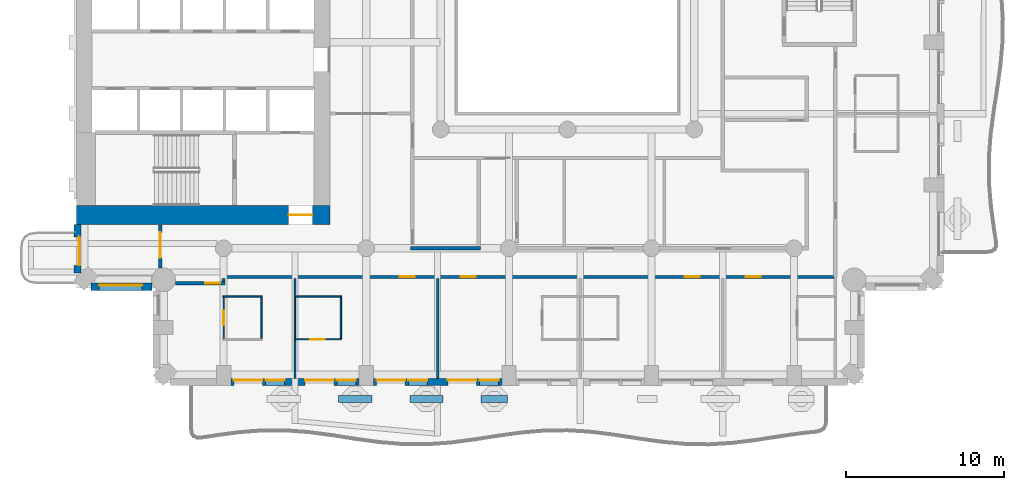
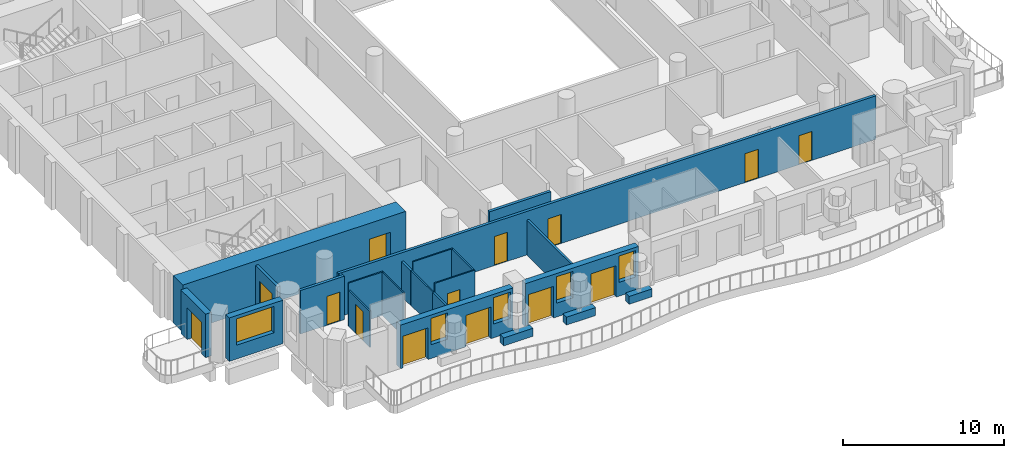
# One storey, part 3 of 20: 23 walls, 14 doors, 5 windows, 19 openings.
"""IFC4 building model written with IfcOpenShell, lengths in metres."""

from ifc_helpers import new_model, si_unit, direction, frame, frame_2d, origin, place, context, subcontext, project, spatial, rectangle, extrude, material, layer, layer_set, type_object, element, fill, save


model = new_model("IFC4")

# Units and contexts
model_context = context("Model", 3, precision=1e-05, world=origin(), true_north=direction((0.0, 1.0)))
body_context = subcontext(model_context, "Body", "Model", "MODEL_VIEW")
ifc_project = project(units=[si_unit("LENGTHUNIT", "METRE"), si_unit("AREAUNIT", "SQUARE_METRE"), si_unit("VOLUMEUNIT", "CUBIC_METRE"), si_unit("PLANEANGLEUNIT", "RADIAN"), si_unit("MASSUNIT", "GRAM", prefix="KILO")], contexts=[model_context])

# Site, building, storey
site_placement = place(None, origin())
site = spatial("IfcSite", under=ifc_project, at=site_placement, CompositionType="ELEMENT")
building_placement = place(site_placement, origin())
building = spatial("IfcBuilding", under=site, at=building_placement, Name="Cypress Arch Tower", CompositionType="ELEMENT")
storey_placement = place(building_placement, frame((0.0, 0.0, 123.89990234375)))
storey = spatial("IfcBuildingStorey", under=building, at=storey_placement, Name="L26", CompositionType="ELEMENT", Elevation=123.89990234375)

# Walls
ifc_material_1 = material(Name="Concrete C40/50, waterproofed", Category="concrete")
ifc_layer_1 = layer(ifc_material_1, 0.449951171875)
ifc_layer_set_1 = layer_set([ifc_layer_1], Name="Balcony planter wall PW450")
wall_type_1 = type_object("IfcWallType", Name="Balcony planter wall PW450", PredefinedType="SOLIDWALL", material=ifc_layer_set_1)
for number, where, z_axis, x_axis, name in (
    (1, (-13.449951171875, -27.0, 0.0), (0.0, 0.0, 1.0), (1.0, 0.0, 0.0), "Balcony planter wall L26-A03.2"),
    (2, (-8.949951171875, -27.0, 0.0), (0.0, 0.0, 1.0), (1.0, 0.0, 0.0), "Balcony planter wall L26-A03.3"),
):
    element("IfcWall", number, at=place(storey_placement, frame(where, z_axis=z_axis, x_axis=x_axis)), inside=storey, type_object=wall_type_1, Name=name, PredefinedType="SOLIDWALL", context=body_context, shape_type="SweptSolid", body=[
        extrude(rectangle(XDim=2.099853515625, YDim=0.449951171875, at=frame_2d((1.0498046875, 0.0))), origin(), (0.0, 0.0, 1.0), 0.60009765625),
    ])
wall_1_placement = place(storey_placement, frame((-4.449951171875, -27.0, 0.0), z_axis=(0.0, 0.0, 1.0), x_axis=(1.0, 0.0, 0.0)))
element("IfcWall", 3, at=wall_1_placement, inside=storey, type_object=wall_type_1, Name="Balcony planter wall L26-A03.4", PredefinedType="SOLIDWALL", context=body_context, shape_type="SweptSolid", body=[
    extrude(rectangle(XDim=1.64990234375, YDim=0.449951171875, at=frame_2d((0.824951171875, 0.0))), origin(), (0.0, 0.0, 1.0), 0.60009765625),
])

# Wall, opening, door
ifc_material_2 = material(Name="Brick (red buff blend)", Category="masonry")
ifc_layer_2 = layer(ifc_material_2, 0.449951171875)
ifc_layer_set_2 = layer_set([ifc_layer_2], Name="Brick pier and spandrel wall BW450")
wall_type_2 = type_object("IfcWallType", Name="Brick pier and spandrel wall BW450", PredefinedType="SOLIDWALL", material=ifc_layer_set_2)
wall_2_placement = place(storey_placement, frame((-29.925048828125, -16.0, 0.0), z_axis=(0.0, 0.0, 1.0), x_axis=(0.0, -1.0, 0.0)))
wall_2 = element("IfcWall", 4, at=wall_2_placement, inside=storey, type_object=wall_type_2, Name="Brick wall L26 A00.0.1", PredefinedType="SOLIDWALL", context=body_context, shape_type="SweptSolid", body=[
    extrude(rectangle(XDim=3.063720703125, YDim=0.449951171875, at=frame_2d((1.53173828125, 0.0))), origin(), (0.0, 0.0, 1.0), 3.300048828125),
])
opening_1_placement = place(wall_2_placement, frame((0.78173828125, 0.0, 0.0)))
opening_1 = element("IfcOpeningElement", 5, at=opening_1_placement, cuts=wall_2, Name="Opening D-L26-A00.0.1.9", PredefinedType="OPENING", context=body_context, shape_type="SweptSolid", body=[
    extrude(rectangle(XDim=1.800048828125, YDim=2.39990234375, at=frame_2d((0.89990234375, 1.199951171875))), frame((0.0, 0.23486328125, 0.0), z_axis=(0.0, -1.0, 0.0), x_axis=(1.0, 0.0, 0.0)), (0.0, 0.0, 1.0), 0.469970703125),
])
ifc_material_3 = material(Name="Anodised aluminium, bronze finish, laminated low-emissivity double glazing, large-missile impact rated", Category="aluminium")
door_type_1 = type_object("IfcDoorType", Name="Balcony sliding door 1800x2400", OperationType="SLIDING_TO_LEFT", PredefinedType="DOOR", material=ifc_material_3)
door_1_placement = place(opening_1_placement, origin())
door_1 = element("IfcDoor", 6, at=door_1_placement, inside=storey, type_object=door_type_1, Name="Balcony door L26 A00.0.1.9", OperationType="SLIDING_TO_LEFT", OverallHeight=2.39990234375, OverallWidth=1.800048828125, PredefinedType="DOOR", context=body_context, shape_type="SweptSolid", body=[
    extrude(rectangle(XDim=1.800048828125, YDim=2.39990234375, at=frame_2d((0.89990234375, 1.199951171875))), frame((0.0, 0.1298828125, 0.0), z_axis=(0.0, -1.0, 0.0), x_axis=(1.0, 0.0, 0.0)), (0.0, 0.0, 1.0), 0.050048828125),
])
fill(opening_1, door_1)

# Wall, opening, window
wall_3_placement = place(storey_placement, frame((-29.063720703125, -19.925048828125, 0.0), z_axis=(0.0, 0.0, 1.0), x_axis=(1.0, 0.0, 0.0)))
wall_3 = element("IfcWall", 7, at=wall_3_placement, inside=storey, type_object=wall_type_2, Name="Brick wall L26 A01.0", PredefinedType="SOLIDWALL", context=body_context, shape_type="SweptSolid", body=[
    extrude(rectangle(XDim=3.856689453125, YDim=0.449951171875, at=frame_2d((1.92822265625, 0.0))), origin(), (0.0, 0.0, 1.0), 3.300048828125),
])
opening_2_placement = place(wall_3_placement, frame((0.513671875, 0.0, 1.050048828125)))
opening_2 = element("IfcOpeningElement", 8, at=opening_2_placement, cuts=wall_3, Name="Opening W270H", PredefinedType="OPENING", context=body_context, shape_type="SweptSolid", body=[
    extrude(rectangle(XDim=2.699951171875, YDim=2.0, at=frame_2d((1.35009765625, 1.0))), frame((0.0, 0.23486328125, 0.0), z_axis=(0.0, -1.0, 0.0), x_axis=(1.0, 0.0, 0.0)), (0.0, 0.0, 1.0), 0.469970703125),
])
ifc_material_4 = material(Name="Anodised aluminium, bronze finish, clear low-emissivity double glazing", Category="aluminium")
window_type_1 = type_object("IfcWindowType", Name="Window Hotel 2700x2000", PartitioningType="SINGLE_PANEL", PredefinedType="WINDOW", material=ifc_material_4)
window_1_placement = place(opening_2_placement, origin())
window_1 = element("IfcWindow", 9, at=window_1_placement, inside=storey, type_object=window_type_1, Name="Window L26 A01.0.1", OverallHeight=2.0, OverallWidth=2.699951171875, PartitioningType="SINGLE_PANEL", PredefinedType="WINDOW", context=body_context, shape_type="SweptSolid", body=[
    extrude(rectangle(XDim=2.699951171875, YDim=2.0, at=frame_2d((1.35009765625, 1.0))), frame((0.0, 0.135009765625, 0.0), z_axis=(0.0, -1.0, 0.0), x_axis=(1.0, 0.0, 0.0)), (0.0, 0.0, 1.0), 0.06005859375),
])
fill(opening_2, window_1)

# Wall, openings, doors, windows
wall_4_placement = place(storey_placement, frame((-20.25, -25.925048828125, 0.0), z_axis=(0.0, 0.0, 1.0), x_axis=(1.0, 0.0, 0.0)))
wall_4 = element("IfcWall", 10, at=wall_4_placement, inside=storey, type_object=wall_type_2, Name="Brick wall L26 A03.1", PredefinedType="SOLIDWALL", context=body_context, shape_type="SweptSolid", body=[
    extrude(rectangle(XDim=8.10009765625, YDim=0.449951171875, at=frame_2d((4.050048828125, 0.0))), origin(), (0.0, 0.0, 1.0), 3.300048828125),
])
opening_3_placement = place(wall_4_placement, frame((0.199951171875, 0.0, 0.0)))
opening_3 = element("IfcOpeningElement", 11, at=opening_3_placement, cuts=wall_4, Name="Opening D-L26-A03.1.1", PredefinedType="OPENING", context=body_context, shape_type="SweptSolid", body=[
    extrude(rectangle(XDim=1.800048828125, YDim=2.39990234375, at=frame_2d((0.89990234375, 1.199951171875))), frame((0.0, 0.23486328125, 0.0), z_axis=(0.0, -1.0, 0.0), x_axis=(1.0, 0.0, 0.0)), (0.0, 0.0, 1.0), 0.469970703125),
])
opening_4_placement = place(wall_4_placement, frame((2.199951171875, 0.0, 1.050048828125)))
opening_4 = element("IfcOpeningElement", 12, at=opening_4_placement, cuts=wall_4, Name="Opening W120HD", PredefinedType="OPENING", context=body_context, shape_type="SweptSolid", body=[
    extrude(rectangle(XDim=1.199951171875, YDim=2.0, at=frame_2d((0.60009765625, 1.0))), frame((0.0, 0.23486328125, 0.0), z_axis=(0.0, -1.0, 0.0), x_axis=(1.0, 0.0, 0.0)), (0.0, 0.0, 1.0), 0.469970703125),
])
opening_5_placement = place(wall_4_placement, frame((4.699951171875, 0.0, 0.0)))
opening_5 = element("IfcOpeningElement", 13, at=opening_5_placement, cuts=wall_4, Name="Opening D-L26-A03.1.2", PredefinedType="OPENING", context=body_context, shape_type="SweptSolid", body=[
    extrude(rectangle(XDim=1.800048828125, YDim=2.39990234375, at=frame_2d((0.89990234375, 1.199951171875))), frame((0.0, 0.23486328125, 0.0), z_axis=(0.0, -1.0, 0.0), x_axis=(1.0, 0.0, 0.0)), (0.0, 0.0, 1.0), 0.469970703125),
])
opening_6_placement = place(wall_4_placement, frame((6.699951171875, 0.0, 1.050048828125)))
opening_6 = element("IfcOpeningElement", 14, at=opening_6_placement, cuts=wall_4, Name="Opening W120HD", PredefinedType="OPENING", context=body_context, shape_type="SweptSolid", body=[
    extrude(rectangle(XDim=1.199951171875, YDim=2.0, at=frame_2d((0.60009765625, 1.0))), frame((0.0, 0.23486328125, 0.0), z_axis=(0.0, -1.0, 0.0), x_axis=(1.0, 0.0, 0.0)), (0.0, 0.0, 1.0), 0.469970703125),
])
door_2_placement = place(opening_3_placement, origin())
door_2 = element("IfcDoor", 15, at=door_2_placement, inside=storey, type_object=door_type_1, Name="Balcony door L26 A03.1.1", OperationType="SLIDING_TO_LEFT", OverallHeight=2.39990234375, OverallWidth=1.800048828125, PredefinedType="DOOR", context=body_context, shape_type="SweptSolid", body=[
    extrude(rectangle(XDim=1.800048828125, YDim=2.39990234375, at=frame_2d((0.89990234375, 1.199951171875))), frame((0.0, 0.1298828125, 0.0), z_axis=(0.0, -1.0, 0.0), x_axis=(1.0, 0.0, 0.0)), (0.0, 0.0, 1.0), 0.050048828125),
])
fill(opening_3, door_2)
door_3_placement = place(opening_5_placement, origin())
door_3 = element("IfcDoor", 16, at=door_3_placement, inside=storey, type_object=door_type_1, Name="Balcony door L26 A03.1.2", OperationType="SLIDING_TO_LEFT", OverallHeight=2.39990234375, OverallWidth=1.800048828125, PredefinedType="DOOR", context=body_context, shape_type="SweptSolid", body=[
    extrude(rectangle(XDim=1.800048828125, YDim=2.39990234375, at=frame_2d((0.89990234375, 1.199951171875))), frame((0.0, 0.1298828125, 0.0), z_axis=(0.0, -1.0, 0.0), x_axis=(1.0, 0.0, 0.0)), (0.0, 0.0, 1.0), 0.050048828125),
])
fill(opening_5, door_3)
ifc_material_5 = material(Name="Anodised aluminium, bronze finish, laminated low-emissivity double glazing, large-missile impact rated", Category="aluminium")
window_type_2 = type_object("IfcWindowType", Name="Window Hotel 1200x2000 debris-rated", PartitioningType="SINGLE_PANEL", PredefinedType="WINDOW", material=ifc_material_5)
window_2_placement = place(opening_4_placement, origin())
window_2 = element("IfcWindow", 17, at=window_2_placement, inside=storey, type_object=window_type_2, Name="Window L26 A03.1.1", OverallHeight=2.0, OverallWidth=1.199951171875, PartitioningType="SINGLE_PANEL", PredefinedType="WINDOW", context=body_context, shape_type="SweptSolid", body=[
    extrude(rectangle(XDim=1.199951171875, YDim=2.0, at=frame_2d((0.60009765625, 1.0))), frame((0.0, 0.135009765625, 0.0), z_axis=(0.0, -1.0, 0.0), x_axis=(1.0, 0.0, 0.0)), (0.0, 0.0, 1.0), 0.06005859375),
])
fill(opening_4, window_2)
window_3_placement = place(opening_6_placement, origin())
window_3 = element("IfcWindow", 18, at=window_3_placement, inside=storey, type_object=window_type_2, Name="Window L26 A03.1.2", OverallHeight=2.0, OverallWidth=1.199951171875, PartitioningType="SINGLE_PANEL", PredefinedType="WINDOW", context=body_context, shape_type="SweptSolid", body=[
    extrude(rectangle(XDim=1.199951171875, YDim=2.0, at=frame_2d((0.60009765625, 1.0))), frame((0.0, 0.135009765625, 0.0), z_axis=(0.0, -1.0, 0.0), x_axis=(1.0, 0.0, 0.0)), (0.0, 0.0, 1.0), 0.06005859375),
])
fill(opening_6, window_3)

wall_5_placement = place(storey_placement, frame((-11.25, -25.925048828125, 0.0), z_axis=(0.0, 0.0, 1.0), x_axis=(1.0, 0.0, 0.0)))
wall_5 = element("IfcWall", 19, at=wall_5_placement, inside=storey, type_object=wall_type_2, Name="Brick wall L26 A03.2", PredefinedType="SOLIDWALL", context=body_context, shape_type="SweptSolid", body=[
    extrude(rectangle(XDim=8.10009765625, YDim=0.449951171875, at=frame_2d((4.050048828125, 0.0))), origin(), (0.0, 0.0, 1.0), 3.300048828125),
])
opening_7_placement = place(wall_5_placement, frame((0.199951171875, 0.0, 0.0)))
opening_7 = element("IfcOpeningElement", 20, at=opening_7_placement, cuts=wall_5, Name="Opening D-L26-A03.2.1", PredefinedType="OPENING", context=body_context, shape_type="SweptSolid", body=[
    extrude(rectangle(XDim=1.800048828125, YDim=2.39990234375, at=frame_2d((0.89990234375, 1.199951171875))), frame((0.0, 0.23486328125, 0.0), z_axis=(0.0, -1.0, 0.0), x_axis=(1.0, 0.0, 0.0)), (0.0, 0.0, 1.0), 0.469970703125),
])
opening_8_placement = place(wall_5_placement, frame((2.199951171875, 0.0, 1.050048828125)))
opening_8 = element("IfcOpeningElement", 21, at=opening_8_placement, cuts=wall_5, Name="Opening W120HD", PredefinedType="OPENING", context=body_context, shape_type="SweptSolid", body=[
    extrude(rectangle(XDim=1.199951171875, YDim=2.0, at=frame_2d((0.60009765625, 1.0))), frame((0.0, 0.23486328125, 0.0), z_axis=(0.0, -1.0, 0.0), x_axis=(1.0, 0.0, 0.0)), (0.0, 0.0, 1.0), 0.469970703125),
])
opening_9_placement = place(wall_5_placement, frame((4.699951171875, 0.0, 0.0)))
opening_9 = element("IfcOpeningElement", 22, at=opening_9_placement, cuts=wall_5, Name="Opening D-L26-A03.2.2", PredefinedType="OPENING", context=body_context, shape_type="SweptSolid", body=[
    extrude(rectangle(XDim=1.800048828125, YDim=2.39990234375, at=frame_2d((0.89990234375, 1.199951171875))), frame((0.0, 0.23486328125, 0.0), z_axis=(0.0, -1.0, 0.0), x_axis=(1.0, 0.0, 0.0)), (0.0, 0.0, 1.0), 0.469970703125),
])
opening_10_placement = place(wall_5_placement, frame((6.699951171875, 0.0, 1.050048828125)))
opening_10 = element("IfcOpeningElement", 23, at=opening_10_placement, cuts=wall_5, Name="Opening W120HD", PredefinedType="OPENING", context=body_context, shape_type="SweptSolid", body=[
    extrude(rectangle(XDim=1.199951171875, YDim=2.0, at=frame_2d((0.60009765625, 1.0))), frame((0.0, 0.23486328125, 0.0), z_axis=(0.0, -1.0, 0.0), x_axis=(1.0, 0.0, 0.0)), (0.0, 0.0, 1.0), 0.469970703125),
])
door_4_placement = place(opening_7_placement, origin())
door_4 = element("IfcDoor", 24, at=door_4_placement, inside=storey, type_object=door_type_1, Name="Balcony door L26 A03.2.1", OperationType="SLIDING_TO_LEFT", OverallHeight=2.39990234375, OverallWidth=1.800048828125, PredefinedType="DOOR", context=body_context, shape_type="SweptSolid", body=[
    extrude(rectangle(XDim=1.800048828125, YDim=2.39990234375, at=frame_2d((0.89990234375, 1.199951171875))), frame((0.0, 0.1298828125, 0.0), z_axis=(0.0, -1.0, 0.0), x_axis=(1.0, 0.0, 0.0)), (0.0, 0.0, 1.0), 0.050048828125),
])
fill(opening_7, door_4)
door_5_placement = place(opening_9_placement, origin())
door_5 = element("IfcDoor", 25, at=door_5_placement, inside=storey, type_object=door_type_1, Name="Balcony door L26 A03.2.2", OperationType="SLIDING_TO_LEFT", OverallHeight=2.39990234375, OverallWidth=1.800048828125, PredefinedType="DOOR", context=body_context, shape_type="SweptSolid", body=[
    extrude(rectangle(XDim=1.800048828125, YDim=2.39990234375, at=frame_2d((0.89990234375, 1.199951171875))), frame((0.0, 0.1298828125, 0.0), z_axis=(0.0, -1.0, 0.0), x_axis=(1.0, 0.0, 0.0)), (0.0, 0.0, 1.0), 0.050048828125),
])
fill(opening_9, door_5)
window_4_placement = place(opening_8_placement, origin())
window_4 = element("IfcWindow", 26, at=window_4_placement, inside=storey, type_object=window_type_2, Name="Window L26 A03.2.1", OverallHeight=2.0, OverallWidth=1.199951171875, PartitioningType="SINGLE_PANEL", PredefinedType="WINDOW", context=body_context, shape_type="SweptSolid", body=[
    extrude(rectangle(XDim=1.199951171875, YDim=2.0, at=frame_2d((0.60009765625, 1.0))), frame((0.0, 0.135009765625, 0.0), z_axis=(0.0, -1.0, 0.0), x_axis=(1.0, 0.0, 0.0)), (0.0, 0.0, 1.0), 0.06005859375),
])
fill(opening_8, window_4)
window_5_placement = place(opening_10_placement, origin())
window_5 = element("IfcWindow", 27, at=window_5_placement, inside=storey, type_object=window_type_2, Name="Window L26 A03.2.2", OverallHeight=2.0, OverallWidth=1.199951171875, PartitioningType="SINGLE_PANEL", PredefinedType="WINDOW", context=body_context, shape_type="SweptSolid", body=[
    extrude(rectangle(XDim=1.199951171875, YDim=2.0, at=frame_2d((0.60009765625, 1.0))), frame((0.0, 0.135009765625, 0.0), z_axis=(0.0, -1.0, 0.0), x_axis=(1.0, 0.0, 0.0)), (0.0, 0.0, 1.0), 0.06005859375),
])
fill(opening_10, window_5)

# Wall, opening, door
ifc_material_6 = material(Name="Concrete C80/95", Category="concrete")
ifc_layer_3 = layer(ifc_material_6, 1.199951171875)
ifc_layer_set_3 = layer_set([ifc_layer_3], Name="Core wall CW1200 C80/95")
wall_type_3 = type_object("IfcWallType", Name="Core wall CW1200 C80/95", PredefinedType="SHEAR", material=ifc_layer_set_3)
wall_6_placement = place(storey_placement, frame((-30.0, -15.39990234375, 0.0), z_axis=(0.0, 0.0, 1.0), x_axis=(1.0, 0.0, 0.0)))
wall_6 = element("IfcWall", 28, at=wall_6_placement, inside=storey, type_object=wall_type_3, Name="Core wall", PredefinedType="SHEAR", context=body_context, shape_type="SweptSolid", body=[
    extrude(rectangle(XDim=16.0, YDim=1.199951171875, at=frame_2d((8.0, 0.0))), origin(), (0.0, 0.0, 1.0), 3.60009765625),
])
opening_11_placement = place(wall_6_placement, frame((13.39990234375, 0.0, 0.0)))
opening_11 = element("IfcOpeningElement", 29, at=opening_11_placement, cuts=wall_6, Name="Opening D07", PredefinedType="OPENING", context=body_context, shape_type="SweptSolid", body=[
    extrude(rectangle(XDim=1.5, YDim=2.39990234375, at=frame_2d((0.75, 1.199951171875))), frame((0.0, 0.60986328125, 0.0), z_axis=(0.0, -1.0, 0.0), x_axis=(1.0, 0.0, 0.0)), (0.0, 0.0, 1.0), 1.219970703125),
])
ifc_material_7 = material(Name="Steel framed glazed door, fire resisting", Category="steel")
door_type_2 = type_object("IfcDoorType", Name="Lobby door D07 1500x2400", OperationType="DOUBLE_DOOR_SINGLE_SWING", PredefinedType="DOOR", material=ifc_material_7)
door_6_placement = place(opening_11_placement, origin())
door_6 = element("IfcDoor", 30, at=door_6_placement, inside=storey, type_object=door_type_2, Name="Lobby door", OperationType="DOUBLE_DOOR_SINGLE_SWING", OverallHeight=2.39990234375, OverallWidth=1.5, PredefinedType="DOOR", context=body_context, shape_type="SweptSolid", body=[
    extrude(rectangle(XDim=1.5, YDim=2.39990234375, at=frame_2d((0.75, 1.199951171875))), frame((0.0, 0.02490234375, 0.0), z_axis=(0.0, -1.0, 0.0), x_axis=(1.0, 0.0, 0.0)), (0.0, 0.0, 1.0), 0.050048828125),
])
fill(opening_11, door_6)

ifc_material_8 = material(Name="Concrete blockwork, plastered, rated", Category="masonry")
ifc_layer_4 = layer(ifc_material_8, 0.199951171875)
ifc_layer_set_4 = layer_set([ifc_layer_4], Name="Corridor wall FW200")
wall_type_4 = type_object("IfcWallType", Name="Corridor wall FW200", PredefinedType="PARTITIONING", material=ifc_layer_set_4)
wall_7_placement = place(storey_placement, frame((-24.699951171875, -18.752197265625, 0.0), z_axis=(0.0, 0.0, 1.0), x_axis=(0.0, 1.0, 0.0)))
wall_7 = element("IfcWall", 31, at=wall_7_placement, inside=storey, type_object=wall_type_4, Name="Corridor wall", PredefinedType="PARTITIONING", context=body_context, shape_type="SweptSolid", body=[
    extrude(rectangle(XDim=2.72216796875, YDim=0.199951171875, at=frame_2d((1.361083984375, 0.0))), origin(), (0.0, 0.0, 1.0), 3.300048828125),
])
opening_12_placement = place(wall_7_placement, frame((0.64990234375, 0.0, 0.0)))
opening_12 = element("IfcOpeningElement", 32, at=opening_12_placement, cuts=wall_7, Name="Opening D10", PredefinedType="OPENING", context=body_context, shape_type="SweptSolid", body=[
    extrude(rectangle(XDim=1.60009765625, YDim=2.39990234375, at=frame_2d((0.800048828125, 1.199951171875))), frame((0.0, 0.10986328125, 0.0), z_axis=(0.0, -1.0, 0.0), x_axis=(1.0, 0.0, 0.0)), (0.0, 0.0, 1.0), 0.219970703125),
])
ifc_material_9 = material(Name="Black aluminium glazed door", Category="aluminium")
door_type_3 = type_object("IfcDoorType", Name="Amenity door D10 1600x2400", OperationType="DOUBLE_DOOR_SINGLE_SWING", PredefinedType="DOOR", material=ifc_material_9)
door_7_placement = place(opening_12_placement, origin())
door_7 = element("IfcDoor", 33, at=door_7_placement, inside=storey, type_object=door_type_3, Name="Amenity door", OperationType="DOUBLE_DOOR_SINGLE_SWING", OverallHeight=2.39990234375, OverallWidth=1.60009765625, PredefinedType="DOOR", context=body_context, shape_type="SweptSolid", body=[
    extrude(rectangle(XDim=1.60009765625, YDim=2.39990234375, at=frame_2d((0.800048828125, 1.199951171875))), frame((0.0, 0.02490234375, 0.0), z_axis=(0.0, -1.0, 0.0), x_axis=(1.0, 0.0, 0.0)), (0.0, 0.0, 1.0), 0.050048828125),
])
fill(opening_12, door_7)

wall_8_placement = place(storey_placement, frame((-23.752197265625, -19.699951171875, 0.0), z_axis=(0.0, 0.0, 1.0), x_axis=(1.0, 0.0, 0.0)))
wall_8 = element("IfcWall", 34, at=wall_8_placement, inside=storey, type_object=wall_type_4, Name="Corridor wall", PredefinedType="PARTITIONING", context=body_context, shape_type="SweptSolid", body=[
    extrude(rectangle(XDim=3.152099609375, YDim=0.199951171875, at=frame_2d((1.576171875, 0.0))), origin(), (0.0, 0.0, 1.0), 3.300048828125),
])
opening_13_placement = place(wall_8_placement, frame((1.89990234375, 0.0, 0.0)))
opening_13 = element("IfcOpeningElement", 35, at=opening_13_placement, cuts=wall_8, Name="Opening D02", PredefinedType="OPENING", context=body_context, shape_type="SweptSolid", body=[
    extrude(rectangle(XDim=0.949951171875, YDim=2.199951171875, at=frame_2d((0.47509765625, 1.10009765625))), frame((0.0, 0.10986328125, 0.0), z_axis=(0.0, -1.0, 0.0), x_axis=(1.0, 0.0, 0.0)), (0.0, 0.0, 1.0), 0.219970703125),
])
ifc_material_10 = material(Name="Timber flush door, fire resisting", Category="wood")
door_type_4 = type_object("IfcDoorType", Name="Room door D02 950x2200", OperationType="SINGLE_SWING_LEFT", PredefinedType="DOOR", material=ifc_material_10)
door_8_placement = place(opening_13_placement, origin())
door_8 = element("IfcDoor", 36, at=door_8_placement, inside=storey, type_object=door_type_4, Name="Room door", OperationType="SINGLE_SWING_RIGHT", OverallHeight=2.199951171875, OverallWidth=0.949951171875, PredefinedType="DOOR", context=body_context, shape_type="SweptSolid", body=[
    extrude(rectangle(XDim=0.949951171875, YDim=2.199951171875, at=frame_2d((0.47509765625, 1.10009765625))), frame((0.0, 0.02490234375, 0.0), z_axis=(0.0, -1.0, 0.0), x_axis=(1.0, 0.0, 0.0)), (0.0, 0.0, 1.0), 0.050048828125),
])
fill(opening_13, door_8)

# Wall
wall_9_placement = place(storey_placement, frame((-20.699951171875, -19.60009765625, 0.0), z_axis=(0.0, 0.0, 1.0), x_axis=(0.0, 1.0, 0.0)))
element("IfcWall", 37, at=wall_9_placement, inside=storey, type_object=wall_type_4, Name="Corridor wall", PredefinedType="PARTITIONING", context=body_context, shape_type="SweptSolid", body=[
    extrude(rectangle(XDim=0.2001953125, YDim=0.199951171875, at=frame_2d((0.10009765625, 0.0))), origin(), (0.0, 0.0, 1.0), 3.300048828125),
])

# Wall, openings, doors
wall_10_placement = place(storey_placement, frame((-20.800048828125, -19.300048828125, 0.0), z_axis=(0.0, 0.0, 1.0), x_axis=(1.0, 0.0, 0.0)))
wall_10 = element("IfcWall", 38, at=wall_10_placement, inside=storey, type_object=wall_type_4, Name="Corridor wall", PredefinedType="PARTITIONING", context=body_context, shape_type="SweptSolid", body=[
    extrude(rectangle(XDim=38.60009765625, YDim=0.199951171875, at=frame_2d((19.300048828125, 0.0))), origin(), (0.0, 0.0, 1.0), 3.300048828125),
])
opening_14_placement = place(wall_10_placement, frame((11.199951171875, 0.0, 0.0)))
opening_14 = element("IfcOpeningElement", 39, at=opening_14_placement, cuts=wall_10, Name="Opening D02", PredefinedType="OPENING", context=body_context, shape_type="SweptSolid", body=[
    extrude(rectangle(XDim=0.949951171875, YDim=2.199951171875, at=frame_2d((0.47509765625, 1.10009765625))), frame((0.0, 0.10986328125, 0.0), z_axis=(0.0, -1.0, 0.0), x_axis=(1.0, 0.0, 0.0)), (0.0, 0.0, 1.0), 0.219970703125),
])
opening_15_placement = place(wall_10_placement, frame((15.050048828125, 0.0, 0.0)))
opening_15 = element("IfcOpeningElement", 40, at=opening_15_placement, cuts=wall_10, Name="Opening D02", PredefinedType="OPENING", context=body_context, shape_type="SweptSolid", body=[
    extrude(rectangle(XDim=0.949951171875, YDim=2.199951171875, at=frame_2d((0.47509765625, 1.10009765625))), frame((0.0, 0.10986328125, 0.0), z_axis=(0.0, -1.0, 0.0), x_axis=(1.0, 0.0, 0.0)), (0.0, 0.0, 1.0), 0.219970703125),
])
opening_16_placement = place(wall_10_placement, frame((29.199951171875, 0.0, 0.0)))
opening_16 = element("IfcOpeningElement", 41, at=opening_16_placement, cuts=wall_10, Name="Opening D02", PredefinedType="OPENING", context=body_context, shape_type="SweptSolid", body=[
    extrude(rectangle(XDim=0.949951171875, YDim=2.199951171875, at=frame_2d((0.47509765625, 1.10009765625))), frame((0.0, 0.10986328125, 0.0), z_axis=(0.0, -1.0, 0.0), x_axis=(1.0, 0.0, 0.0)), (0.0, 0.0, 1.0), 0.219970703125),
])
opening_17_placement = place(wall_10_placement, frame((33.050048828125, 0.0, 0.0)))
opening_17 = element("IfcOpeningElement", 42, at=opening_17_placement, cuts=wall_10, Name="Opening D02", PredefinedType="OPENING", context=body_context, shape_type="SweptSolid", body=[
    extrude(rectangle(XDim=0.949951171875, YDim=2.199951171875, at=frame_2d((0.47509765625, 1.10009765625))), frame((0.0, 0.10986328125, 0.0), z_axis=(0.0, -1.0, 0.0), x_axis=(1.0, 0.0, 0.0)), (0.0, 0.0, 1.0), 0.219970703125),
])
door_9_placement = place(opening_14_placement, origin())
door_9 = element("IfcDoor", 43, at=door_9_placement, inside=storey, type_object=door_type_4, Name="Room door", OperationType="SINGLE_SWING_LEFT", OverallHeight=2.199951171875, OverallWidth=0.949951171875, PredefinedType="DOOR", context=body_context, shape_type="SweptSolid", body=[
    extrude(rectangle(XDim=0.949951171875, YDim=2.199951171875, at=frame_2d((0.47509765625, 1.10009765625))), frame((0.0, 0.02490234375, 0.0), z_axis=(0.0, -1.0, 0.0), x_axis=(1.0, 0.0, 0.0)), (0.0, 0.0, 1.0), 0.050048828125),
])
fill(opening_14, door_9)
door_10_placement = place(opening_15_placement, origin())
door_10 = element("IfcDoor", 44, at=door_10_placement, inside=storey, type_object=door_type_4, Name="Room door", OperationType="SINGLE_SWING_RIGHT", OverallHeight=2.199951171875, OverallWidth=0.949951171875, PredefinedType="DOOR", context=body_context, shape_type="SweptSolid", body=[
    extrude(rectangle(XDim=0.949951171875, YDim=2.199951171875, at=frame_2d((0.47509765625, 1.10009765625))), frame((0.0, 0.02490234375, 0.0), z_axis=(0.0, -1.0, 0.0), x_axis=(1.0, 0.0, 0.0)), (0.0, 0.0, 1.0), 0.050048828125),
])
fill(opening_15, door_10)
door_11_placement = place(opening_16_placement, origin())
door_11 = element("IfcDoor", 45, at=door_11_placement, inside=storey, type_object=door_type_4, Name="Room door", OperationType="SINGLE_SWING_LEFT", OverallHeight=2.199951171875, OverallWidth=0.949951171875, PredefinedType="DOOR", context=body_context, shape_type="SweptSolid", body=[
    extrude(rectangle(XDim=0.949951171875, YDim=2.199951171875, at=frame_2d((0.47509765625, 1.10009765625))), frame((0.0, 0.02490234375, 0.0), z_axis=(0.0, -1.0, 0.0), x_axis=(1.0, 0.0, 0.0)), (0.0, 0.0, 1.0), 0.050048828125),
])
fill(opening_16, door_11)
door_12_placement = place(opening_17_placement, origin())
door_12 = element("IfcDoor", 46, at=door_12_placement, inside=storey, type_object=door_type_4, Name="Room door", OperationType="SINGLE_SWING_RIGHT", OverallHeight=2.199951171875, OverallWidth=0.949951171875, PredefinedType="DOOR", context=body_context, shape_type="SweptSolid", body=[
    extrude(rectangle(XDim=0.949951171875, YDim=2.199951171875, at=frame_2d((0.47509765625, 1.10009765625))), frame((0.0, 0.02490234375, 0.0), z_axis=(0.0, -1.0, 0.0), x_axis=(1.0, 0.0, 0.0)), (0.0, 0.0, 1.0), 0.050048828125),
])
fill(opening_17, door_12)

# Walls
wall_11_placement = place(storey_placement, frame((-8.89990234375, -17.5, 0.0), z_axis=(0.0, 0.0, 1.0), x_axis=(1.0, 0.0, 0.0)))
element("IfcWall", 47, at=wall_11_placement, inside=storey, type_object=wall_type_4, Name="Corridor wall", PredefinedType="PARTITIONING", context=body_context, shape_type="SweptSolid", body=[
    extrude(rectangle(XDim=4.39990234375, YDim=0.199951171875, at=frame_2d((2.199951171875, 0.0))), origin(), (0.0, 0.0, 1.0), 2.75),
])
ifc_material_11 = material(Name="Blockwork, plastered both sides", Category="masonry")
ifc_layer_5 = layer(ifc_material_11, 0.14990234375)
ifc_layer_set_5 = layer_set([ifc_layer_5], Name="Partition PW150")
wall_type_5 = type_object("IfcWallType", Name="Partition PW150", PredefinedType="PARTITIONING", material=ifc_layer_set_5)
wall_12_placement = place(storey_placement, frame((-16.199951171875, -25.699951171875, 0.0), z_axis=(0.0, 0.0, 1.0), x_axis=(0.0, 1.0, 0.0)))
element("IfcWall", 48, at=wall_12_placement, inside=storey, type_object=wall_type_5, Name="Partition", PredefinedType="PARTITIONING", context=body_context, shape_type="SweptSolid", body=[
    extrude(rectangle(XDim=2.429931640625, YDim=0.14990234375, at=frame_2d((1.21484375, 0.0))), origin(), (0.0, 0.0, 1.0), 2.650146484375),
])
wall_13_placement = place(storey_placement, frame((-16.199951171875, -20.530029296875, 0.0), z_axis=(0.0, 0.0, 1.0), x_axis=(0.0, 1.0, 0.0)))
element("IfcWall", 49, at=wall_13_placement, inside=storey, type_object=wall_type_5, Name="Partition", PredefinedType="PARTITIONING", context=body_context, shape_type="SweptSolid", body=[
    extrude(rectangle(XDim=1.130126953125, YDim=0.14990234375, at=frame_2d((0.56494140625, 0.0))), origin(), (0.0, 0.0, 1.0), 2.650146484375),
])
wall_14_placement = place(storey_placement, frame((-7.199951171875, -25.699951171875, 0.0), z_axis=(0.0, 0.0, 1.0), x_axis=(0.0, 1.0, 0.0)))
element("IfcWall", 50, at=wall_14_placement, inside=storey, type_object=wall_type_5, Name="Partition", PredefinedType="PARTITIONING", context=body_context, shape_type="SweptSolid", body=[
    extrude(rectangle(XDim=6.300048828125, YDim=0.14990234375, at=frame_2d((3.14990234375, 0.0))), origin(), (0.0, 0.0, 1.0), 2.650146484375),
])

# Wall, opening, door
ifc_material_12 = material(Name="Moisture resistant board on steel studs, tiled", Category="steel")
ifc_layer_6 = layer(ifc_material_12, 0.10009765625)
ifc_layer_set_6 = layer_set([ifc_layer_6], Name="Wet wall PW100")
wall_type_6 = type_object("IfcWallType", Name="Wet wall PW100", PredefinedType="PARTITIONING", material=ifc_layer_set_6)
wall_15_placement = place(storey_placement, frame((-20.699951171875, -23.199951171875, 0.0), z_axis=(0.0, 0.0, 1.0), x_axis=(0.0, 1.0, 0.0)))
wall_15 = element("IfcWall", 51, at=wall_15_placement, inside=storey, type_object=wall_type_6, Name="Wet wall", PredefinedType="PARTITIONING", context=body_context, shape_type="SweptSolid", body=[
    extrude(rectangle(XDim=2.599853515625, YDim=0.10009765625, at=frame_2d((1.2998046875, 0.0))), origin(), (0.0, 0.0, 1.0), 2.75),
])
opening_18_placement = place(wall_15_placement, frame((0.85009765625, 0.0, 0.0)))
opening_18 = element("IfcOpeningElement", 52, at=opening_18_placement, cuts=wall_15, Name="Opening D03", PredefinedType="OPENING", context=body_context, shape_type="SweptSolid", body=[
    extrude(rectangle(XDim=0.89990234375, YDim=2.199951171875, at=frame_2d((0.449951171875, 1.10009765625))), frame((0.0, 0.06005859375, 0.0), z_axis=(0.0, -1.0, 0.0), x_axis=(1.0, 0.0, 0.0)), (0.0, 0.0, 1.0), 0.1201171875),
])
ifc_material_13 = material(Name="Timber flush door, moisture resistant", Category="wood")
door_type_5 = type_object("IfcDoorType", Name="Bathroom door D03 900x2200", OperationType="SINGLE_SWING_LEFT", PredefinedType="DOOR", material=ifc_material_13)
door_13_placement = place(opening_18_placement, origin())
door_13 = element("IfcDoor", 53, at=door_13_placement, inside=storey, type_object=door_type_5, Name="Bathroom door", OperationType="SINGLE_SWING_LEFT", OverallHeight=2.199951171875, OverallWidth=0.89990234375, PredefinedType="DOOR", context=body_context, shape_type="SweptSolid", body=[
    extrude(rectangle(XDim=0.89990234375, YDim=2.199951171875, at=frame_2d((0.449951171875, 1.10009765625))), frame((0.0, 0.02490234375, 0.0), z_axis=(0.0, -1.0, 0.0), x_axis=(1.0, 0.0, 0.0)), (0.0, 0.0, 1.0), 0.050048828125),
])
fill(opening_18, door_13)

# Walls
wall_16_placement = place(storey_placement, frame((-20.75, -20.550048828125, 0.0), z_axis=(0.0, 0.0, 1.0), x_axis=(1.0, 0.0, 0.0)))
element("IfcWall", 54, at=wall_16_placement, inside=storey, type_object=wall_type_6, Name="Wet wall", PredefinedType="PARTITIONING", context=body_context, shape_type="SweptSolid", body=[
    extrude(rectangle(XDim=2.5, YDim=0.10009765625, at=frame_2d((1.25, 0.0))), origin(), (0.0, 0.0, 1.0), 3.300048828125),
])
wall_17_placement = place(storey_placement, frame((-18.300048828125, -23.199951171875, 0.0), z_axis=(0.0, 0.0, 1.0), x_axis=(0.0, 1.0, 0.0)))
element("IfcWall", 55, at=wall_17_placement, inside=storey, type_object=wall_type_6, Name="Wet wall", PredefinedType="PARTITIONING", context=body_context, shape_type="SweptSolid", body=[
    extrude(rectangle(XDim=2.599853515625, YDim=0.10009765625, at=frame_2d((1.2998046875, 0.0))), origin(), (0.0, 0.0, 1.0), 3.300048828125),
])
wall_18_placement = place(storey_placement, frame((-16.199951171875, -23.27001953125, 0.0), z_axis=(0.0, 0.0, 1.0), x_axis=(0.0, 1.0, 0.0)))
element("IfcWall", 56, at=wall_18_placement, inside=storey, type_object=wall_type_6, Name="Wet wall", PredefinedType="PARTITIONING", context=body_context, shape_type="SweptSolid", body=[
    extrude(rectangle(XDim=2.739990234375, YDim=0.10009765625, at=frame_2d((1.3701171875, 0.0))), origin(), (0.0, 0.0, 1.0), 2.650146484375),
])

# Wall, opening, door
wall_19_placement = place(storey_placement, frame((-16.125, -23.25, 0.0), z_axis=(0.0, 0.0, 1.0), x_axis=(1.0, 0.0, 0.0)))
wall_19 = element("IfcWall", 57, at=wall_19_placement, inside=storey, type_object=wall_type_6, Name="Wet wall", PredefinedType="PARTITIONING", context=body_context, shape_type="SweptSolid", body=[
    extrude(rectangle(XDim=2.87109375, YDim=0.10009765625, at=frame_2d((1.435546875, 0.0))), origin(), (0.0, 0.0, 1.0), 3.300048828125),
])
opening_19_placement = place(wall_19_placement, frame((0.89990234375, 0.0, 0.0)))
opening_19 = element("IfcOpeningElement", 58, at=opening_19_placement, cuts=wall_19, Name="Opening D03", PredefinedType="OPENING", context=body_context, shape_type="SweptSolid", body=[
    extrude(rectangle(XDim=0.89990234375, YDim=2.199951171875, at=frame_2d((0.449951171875, 1.10009765625))), frame((0.0, 0.06005859375, 0.0), z_axis=(0.0, -1.0, 0.0), x_axis=(1.0, 0.0, 0.0)), (0.0, 0.0, 1.0), 0.1201171875),
])
door_14_placement = place(opening_19_placement, origin())
door_14 = element("IfcDoor", 59, at=door_14_placement, inside=storey, type_object=door_type_5, Name="Bathroom door", OperationType="SINGLE_SWING_LEFT", OverallHeight=2.199951171875, OverallWidth=0.89990234375, PredefinedType="DOOR", context=body_context, shape_type="SweptSolid", body=[
    extrude(rectangle(XDim=0.89990234375, YDim=2.199951171875, at=frame_2d((0.449951171875, 1.10009765625))), frame((0.0, 0.02490234375, 0.0), z_axis=(0.0, -1.0, 0.0), x_axis=(1.0, 0.0, 0.0)), (0.0, 0.0, 1.0), 0.050048828125),
])
fill(opening_19, door_14)

# Walls
wall_20_placement = place(storey_placement, frame((-16.125, -20.550048828125, 0.0), z_axis=(0.0, 0.0, 1.0), x_axis=(1.0, 0.0, 0.0)))
element("IfcWall", 60, at=wall_20_placement, inside=storey, type_object=wall_type_6, Name="Wet wall", PredefinedType="PARTITIONING", context=body_context, shape_type="SweptSolid", body=[
    extrude(rectangle(XDim=2.87109375, YDim=0.10009765625, at=frame_2d((1.435546875, 0.0))), origin(), (0.0, 0.0, 1.0), 3.300048828125),
])
wall_21_placement = place(storey_placement, frame((-13.303955078125, -23.199951171875, 0.0), z_axis=(0.0, 0.0, 1.0), x_axis=(0.0, 1.0, 0.0)))
element("IfcWall", 61, at=wall_21_placement, inside=storey, type_object=wall_type_6, Name="Wet wall", PredefinedType="PARTITIONING", context=body_context, shape_type="SweptSolid", body=[
    extrude(rectangle(XDim=2.599853515625, YDim=0.10009765625, at=frame_2d((1.2998046875, 0.0))), origin(), (0.0, 0.0, 1.0), 3.300048828125),
])

save(model, "model.ifc")
